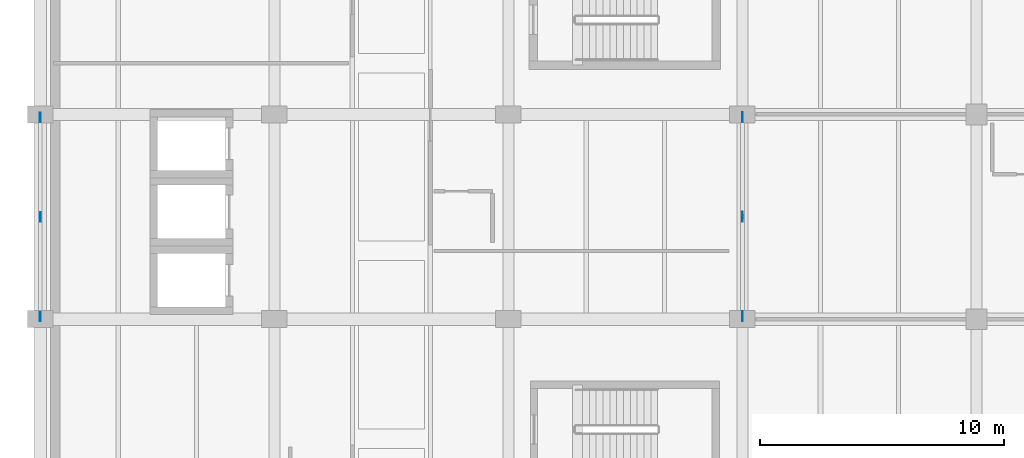
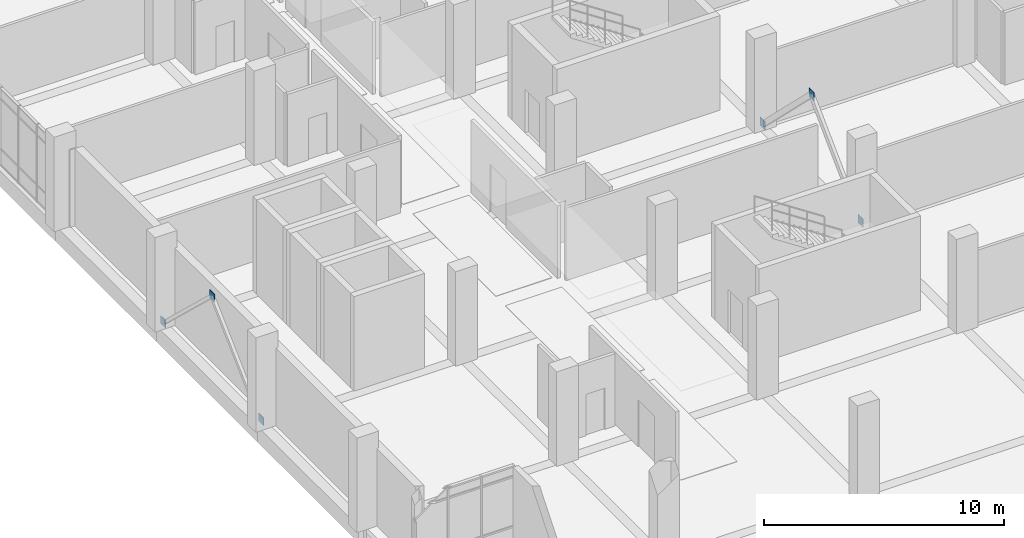
# One storey, part 111 of 152: 6 plates.
"""IFC4 building model written with IfcOpenShell, lengths in metres."""

from ifc_helpers import new_model, si_unit, direction, frame, origin, origin_2d, place, context, subcontext, project, spatial, rectangle, extrude, material, layer, layer_set, type_object, element, save


model = new_model("IFC4")

# Units and contexts
model_context = context("Model", 3, precision=1e-05, world=origin(), true_north=direction((0.0, 1.0)))
body_context = subcontext(model_context, "Body", "Model", "MODEL_VIEW")
ifc_project = project(units=[si_unit("LENGTHUNIT", "METRE"), si_unit("AREAUNIT", "SQUARE_METRE"), si_unit("VOLUMEUNIT", "CUBIC_METRE"), si_unit("PLANEANGLEUNIT", "RADIAN"), si_unit("MASSUNIT", "GRAM", prefix="KILO")], contexts=[model_context])

# Site, building, storey
site_placement = place(None, origin())
site = spatial("IfcSite", under=ifc_project, at=site_placement, CompositionType="ELEMENT")
building_placement = place(site_placement, origin())
building = spatial("IfcBuilding", under=site, at=building_placement, Name="Oolite Switchyard Hospital", CompositionType="ELEMENT")
storey_placement = place(building_placement, frame((0.0, 0.0, 5.10009765625)))
storey = spatial("IfcBuildingStorey", under=building, at=storey_placement, Name="L01", CompositionType="ELEMENT", Elevation=5.10009765625)

# Plates
ifc_material = material(Name="Steel ASTM A572 Grade 50", Category="steel")
ifc_layer_1 = layer(ifc_material, 0.02587890625)
ifc_layer_set_1 = layer_set([ifc_layer_1], Name="PLT-GUS-390")
plate_type_1 = type_object("IfcPlateType", Name="PLT-GUS-390", PredefinedType="SHEET", material=ifc_layer_set_1)
for number, where, z_axis, x_axis, name in (
    (1, (0.0, 50.52001953125, 0.0048828125), (0.0, 0.0, 1.0), (0.0, 1.0, 0.0), "L01 Brace Base Gusset Plate 4"),
    (2, (0.0, 58.679931640625, 0.0048828125), (0.0, 0.0, 1.0), (0.0, 1.0, 0.0), "L01 Brace Base Gusset Plate 5"),
    (3, (0.0, 54.60009765625, 3.80517578125), (0.0, 0.0, 1.0), (0.0, 1.0, 0.0), "L01 Gusset Connection Plate 6"),
):
    element("IfcPlate", number, at=place(storey_placement, frame(where, z_axis=z_axis, x_axis=x_axis)), inside=storey, type_object=plate_type_1, Name=name, PredefinedType="SHEET", context=body_context, shape_type="SweptSolid", body=[
        extrude(rectangle(XDim=0.389892578125, YDim=0.02587890625, at=origin_2d()), origin(), (0.0, 0.0, 1.0), 0.389892578125),
    ])
ifc_layer_2 = layer(ifc_material, 0.028076171875)
ifc_layer_set_2 = layer_set([ifc_layer_2], Name="PLT-GUS-420")
plate_type_2 = type_object("IfcPlateType", Name="PLT-GUS-420", PredefinedType="SHEET", material=ifc_layer_set_2)
for number, where, z_axis, x_axis, name in (
    (4, (28.800048828125, 50.52001953125, -0.010009765625), (0.0, 0.0, 1.0), (0.0, 1.0, 0.0), "L01 Brace Base Gusset Plate 25"),
    (5, (28.800048828125, 58.679931640625, -0.010009765625), (0.0, 0.0, 1.0), (0.0, 1.0, 0.0), "L01 Brace Base Gusset Plate 26"),
    (6, (28.800048828125, 54.60009765625, 3.93994140625), (0.0, 0.0, 1.0), (0.0, 1.0, 0.0), "L01 Gusset Connection Plate 27"),
):
    element("IfcPlate", number, at=place(storey_placement, frame(where, z_axis=z_axis, x_axis=x_axis)), inside=storey, type_object=plate_type_2, Name=name, PredefinedType="SHEET", context=body_context, shape_type="SweptSolid", body=[
        extrude(rectangle(XDim=0.419921875, YDim=0.028076171875, at=origin_2d()), origin(), (0.0, 0.0, 1.0), 0.419921875),
    ])

save(model, "model.ifc")
